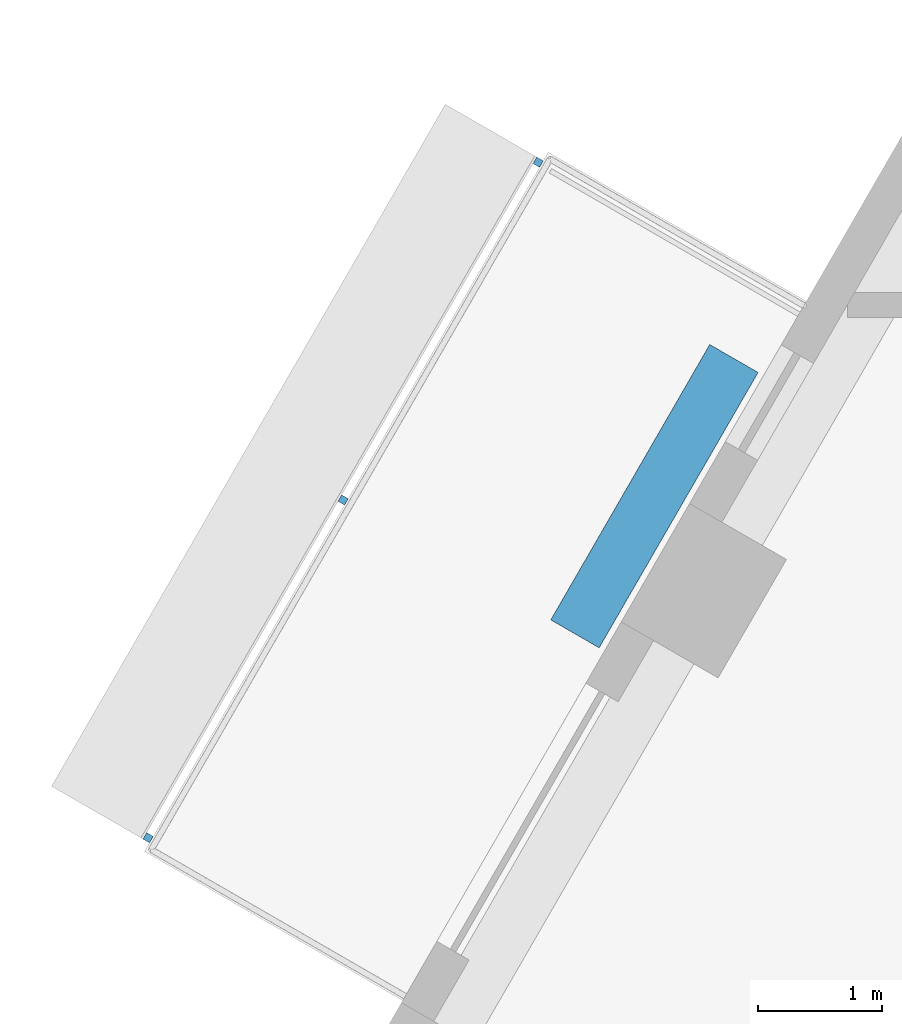
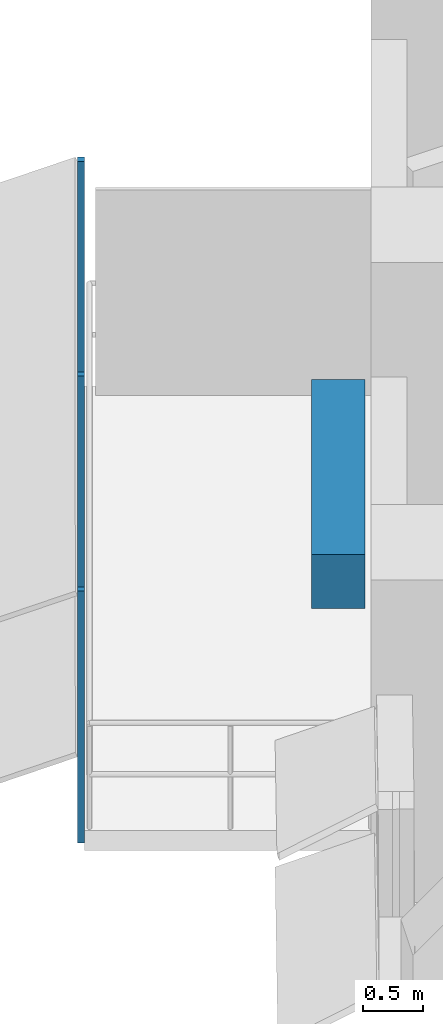
# One storey, part 10 of 13: 4 discrete accessories.
"""IFC4 building model written with IfcOpenShell, lengths in metres."""

from ifc_helpers import new_model, si_unit, direction, frame, origin, origin_2d, place, context, subcontext, project, spatial, rectangle, extrude, material, type_object, element, save


model = new_model("IFC4")

# Units and contexts
model_context = context("Model", 3, precision=1e-05, world=origin(), true_north=direction((0.0, 1.0)))
body_context = subcontext(model_context, "Body", "Model", "MODEL_VIEW")
ifc_project = project(units=[si_unit("LENGTHUNIT", "METRE"), si_unit("AREAUNIT", "SQUARE_METRE"), si_unit("VOLUMEUNIT", "CUBIC_METRE"), si_unit("PLANEANGLEUNIT", "RADIAN"), si_unit("MASSUNIT", "GRAM", prefix="KILO")], contexts=[model_context])

# Site, building, storey
site_placement = place(None, origin())
site = spatial("IfcSite", under=ifc_project, at=site_placement, CompositionType="ELEMENT")
building_placement = place(site_placement, origin())
building = spatial("IfcBuilding", under=site, at=building_placement, Name="Nakaniwa Court", CompositionType="ELEMENT")
storey_placement = place(building_placement, frame((0.0, 0.0, 269.10009765625)))
storey = spatial("IfcBuildingStorey", under=building, at=storey_placement, Name="L71", CompositionType="ELEMENT", Elevation=269.10009765625)

# Discrete accessories
ifc_material_1 = material(Name="Black powder-coated steel bracket S275", Category="steel")
discrete_accessory_type_1 = type_object("IfcDiscreteAccessoryType", Name="Black metal louvre bracket", PredefinedType="BRACKET", material=ifc_material_1)
for number, where, z_axis, x_axis, name in (
    (1, (59.526611328125, 94.698974609375, -0.22998046875), (0.0, 0.0, 1.0), (-0.499986396443, -0.866033257659, 0.0), "L71 louvre bracket 01 1"),
    (2, (57.956787109375, 91.97998046875, -0.22998046875), (0.0, 0.0, 1.0), (-0.499986396443, -0.866033257659, 0.0), "L71 louvre bracket 01 2"),
    (3, (56.386962890625, 89.260986328125, -0.22998046875), (0.0, 0.0, 1.0), (-0.499986396443, -0.866033257659, 0.0), "L71 louvre bracket 01 3"),
):
    element("IfcDiscreteAccessory", number, at=place(storey_placement, frame(where, z_axis=z_axis, x_axis=x_axis)), inside=storey, type_object=discrete_accessory_type_1, Name=name, PredefinedType="BRACKET", context=body_context, shape_type="SweptSolid", body=[
        extrude(rectangle(XDim=0.06005859375, YDim=0.06005859375, at=origin_2d()), origin(), (0.0, 0.0, 1.0), 2.5751953125),
    ])
ifc_material_2 = material(Name="Precast concrete C40/50 planter with planted soil", Category="concrete")
discrete_accessory_type_2 = type_object("IfcDiscreteAccessoryType", Name="Planter box charcoal concrete", PredefinedType="USERDEFINED", material=ifc_material_2)
discrete_accessory_placement = place(storey_placement, frame((60.462890625, 92.0107421875, -0.05029296875), z_axis=(0.0, 0.0, 1.0), x_axis=(-0.499986396443, -0.866033257659, 0.0)))
element("IfcDiscreteAccessory", 4, at=discrete_accessory_placement, inside=storey, type_object=discrete_accessory_type_2, Name="L71 balcony PLANTER 01", ObjectType="PLANTER", PredefinedType="USERDEFINED", context=body_context, shape_type="SweptSolid", body=[
    extrude(rectangle(XDim=2.5595703125, YDim=0.449951171875, at=origin_2d()), origin(), (0.0, 0.0, 1.0), 0.550048828125),
])

save(model, "model.ifc")
